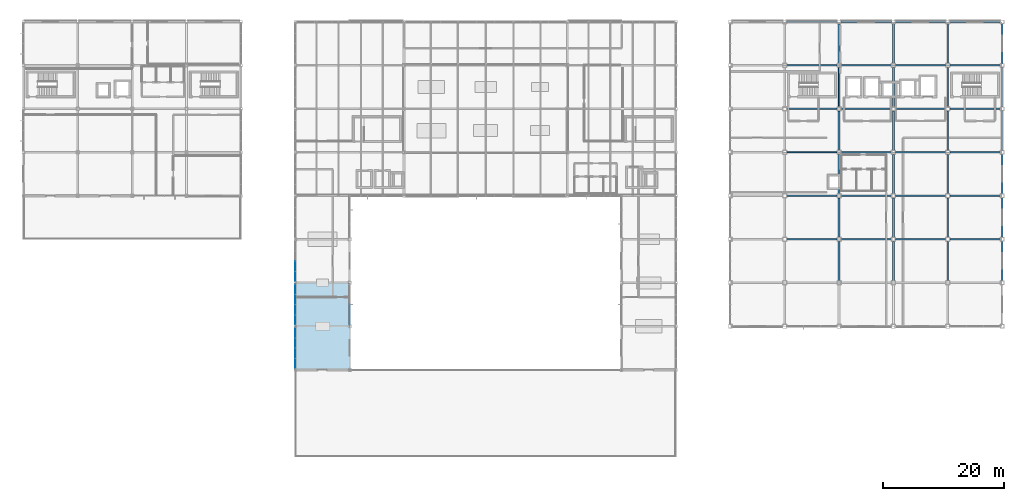
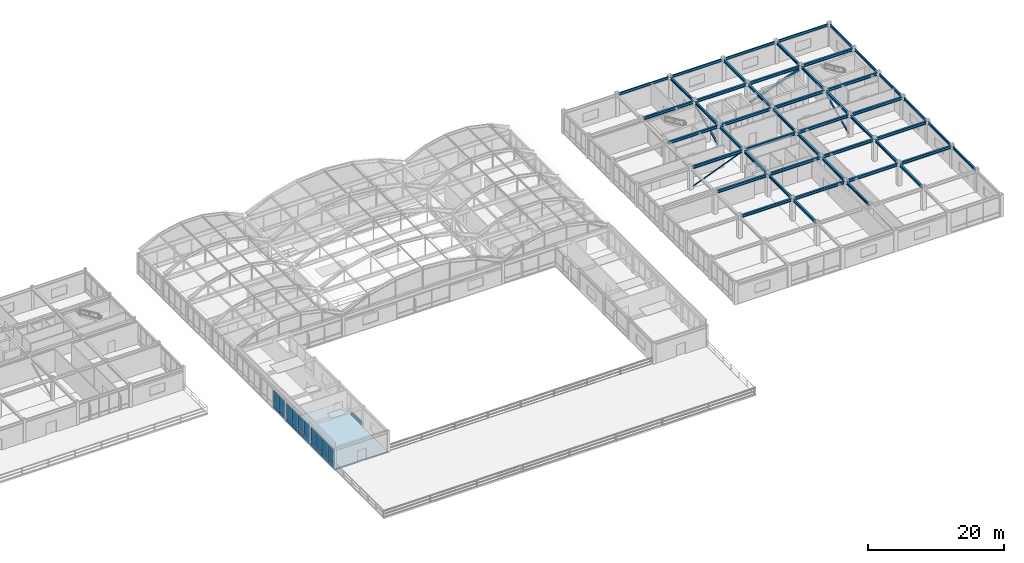
# One storey, part 76 of 106: 48 beams, 21 plates, 4 members, 1 slab, 4 elements without a shape of their own.
"""IFC4 building model written with IfcOpenShell, lengths in metres."""

from ifc_helpers import new_model, si_unit, direction, frame, origin, origin_2d, place, context, subcontext, project, spatial, polyline, rectangle, hollow_rectangle, hollow_circle, i_section, outline, extrude, material, layer, layer_set, material_profile, profile_set, type_object, element, aggregate, save


model = new_model("IFC4")

# Units and contexts
model_context = context("Model", 3, precision=1e-05, world=origin(), true_north=direction((0.0, 1.0)))
body_context = subcontext(model_context, "Body", "Model", "MODEL_VIEW")
ifc_project = project(units=[si_unit("LENGTHUNIT", "METRE"), si_unit("AREAUNIT", "SQUARE_METRE"), si_unit("VOLUMEUNIT", "CUBIC_METRE"), si_unit("PLANEANGLEUNIT", "RADIAN"), si_unit("MASSUNIT", "GRAM", prefix="KILO")], contexts=[model_context])

# Site, building, storey
site_placement = place(None, origin())
site = spatial("IfcSite", under=ifc_project, at=site_placement, CompositionType="ELEMENT")
building_placement = place(site_placement, origin())
building = spatial("IfcBuilding", under=site, at=building_placement, Name="Kazanami Central Library", CompositionType="ELEMENT")
storey_placement = place(building_placement, frame((0.0, 0.0, 12.800048828125)))
storey = spatial("IfcBuildingStorey", under=building, at=storey_placement, Name="L04", CompositionType="ELEMENT", Elevation=12.800048828125)

# Beams
ifc_material_1 = material(Name="Steel SN490B (325 MPa)", Category="steel")
ifc_material_profile_1 = material_profile(ifc_material_1, i_section(OverallWidth=0.300048828125, OverallDepth=0.488037109375, WebThickness=0.010986328125, FlangeThickness=0.01806640625, at=origin_2d()), Name="H-488x300x11x18")
ifc_profile_set_1 = profile_set([ifc_material_profile_1], Name="Steel SN490B (325 MPa)")
beam_type_1 = type_object("IfcBeamType", Name="BM-G-X5", PredefinedType="BEAM", material=ifc_profile_set_1)
for number, where, z_axis, x_axis, name in (
    (1, (126.322998046875, 57.60009765625, 3.696044921875), (1.0, 0.0, 0.0), (0.0, 1.0, 0.0), "Girder G-X5 L04 J/15-16"),
    (2, (135.322998046875, 57.60009765625, 3.696044921875), (1.0, 0.0, 0.0), (0.0, 1.0, 0.0), "Girder G-X5 L04 J/16-17"),
    (3, (144.322998046875, 57.60009765625, 3.696044921875), (1.0, 0.0, 0.0), (0.0, 1.0, 0.0), "Girder G-X5 L04 J/17-18"),
):
    element("IfcBeam", number, at=place(storey_placement, frame(where, z_axis=z_axis, x_axis=x_axis)), inside=storey, type_object=beam_type_1, Name=name, PredefinedType="BEAM", context=body_context, shape_type="SweptSolid", body=[
        extrude(i_section(OverallWidth=0.300048828125, OverallDepth=0.488037109375, WebThickness=0.010986328125, FlangeThickness=0.01806640625, at=origin_2d()), origin(), (0.0, 0.0, 1.0), 8.35400390625),
    ])
beam_1_placement = place(storey_placement, frame((153.322998046875, 57.60009765625, 3.696044921875), z_axis=(1.0, 0.0, 0.0), x_axis=(0.0, 1.0, 0.0)))
element("IfcBeam", 4, at=beam_1_placement, inside=storey, type_object=beam_type_1, Name="Girder G-X5 L04 J/18-19", PredefinedType="BEAM", context=body_context, shape_type="SweptSolid", body=[
    extrude(i_section(OverallWidth=0.300048828125, OverallDepth=0.488037109375, WebThickness=0.010986328125, FlangeThickness=0.01806640625, at=origin_2d()), origin(), (0.0, 0.0, 1.0), 8.37890625),
])
for number, where, z_axis, x_axis, name in (
    (5, (126.322998046875, 64.800048828125, 3.696044921875), (1.0, 0.0, 0.0), (0.0, 1.0, 0.0), "Girder G-X5 L04 K/15-16"),
    (6, (135.322998046875, 64.800048828125, 3.696044921875), (1.0, 0.0, 0.0), (0.0, 1.0, 0.0), "Girder G-X5 L04 K/16-17"),
    (7, (144.322998046875, 64.800048828125, 3.696044921875), (1.0, 0.0, 0.0), (0.0, 1.0, 0.0), "Girder G-X5 L04 K/17-18"),
):
    element("IfcBeam", number, at=place(storey_placement, frame(where, z_axis=z_axis, x_axis=x_axis)), inside=storey, type_object=beam_type_1, Name=name, PredefinedType="BEAM", context=body_context, shape_type="SweptSolid", body=[
        extrude(i_section(OverallWidth=0.300048828125, OverallDepth=0.488037109375, WebThickness=0.010986328125, FlangeThickness=0.01806640625, at=origin_2d()), origin(), (0.0, 0.0, 1.0), 8.35400390625),
    ])
beam_2_placement = place(storey_placement, frame((153.322998046875, 64.800048828125, 3.696044921875), z_axis=(1.0, 0.0, 0.0), x_axis=(0.0, 1.0, 0.0)))
element("IfcBeam", 8, at=beam_2_placement, inside=storey, type_object=beam_type_1, Name="Girder G-X5 L04 K/18-19", PredefinedType="BEAM", context=body_context, shape_type="SweptSolid", body=[
    extrude(i_section(OverallWidth=0.300048828125, OverallDepth=0.488037109375, WebThickness=0.010986328125, FlangeThickness=0.01806640625, at=origin_2d()), origin(), (0.0, 0.0, 1.0), 8.37890625),
])
for number, where, z_axis, x_axis, name in (
    (9, (126.322998046875, 72.0, 3.696044921875), (1.0, 0.0, 0.0), (0.0, 1.0, 0.0), "Girder G-X5 L04 L/15-16"),
    (10, (135.322998046875, 72.0, 3.696044921875), (1.0, 0.0, 0.0), (0.0, 1.0, 0.0), "Girder G-X5 L04 L/16-17"),
    (11, (144.322998046875, 72.0, 3.696044921875), (1.0, 0.0, 0.0), (0.0, 1.0, 0.0), "Girder G-X5 L04 L/17-18"),
):
    element("IfcBeam", number, at=place(storey_placement, frame(where, z_axis=z_axis, x_axis=x_axis)), inside=storey, type_object=beam_type_1, Name=name, PredefinedType="BEAM", context=body_context, shape_type="SweptSolid", body=[
        extrude(i_section(OverallWidth=0.300048828125, OverallDepth=0.488037109375, WebThickness=0.010986328125, FlangeThickness=0.01806640625, at=origin_2d()), origin(), (0.0, 0.0, 1.0), 8.35400390625),
    ])
beam_3_placement = place(storey_placement, frame((153.322998046875, 72.0, 3.696044921875), z_axis=(1.0, 0.0, 0.0), x_axis=(0.0, 1.0, 0.0)))
element("IfcBeam", 12, at=beam_3_placement, inside=storey, type_object=beam_type_1, Name="Girder G-X5 L04 L/18-19", PredefinedType="BEAM", context=body_context, shape_type="SweptSolid", body=[
    extrude(i_section(OverallWidth=0.300048828125, OverallDepth=0.488037109375, WebThickness=0.010986328125, FlangeThickness=0.01806640625, at=origin_2d()), origin(), (0.0, 0.0, 1.0), 8.37890625),
])
for number, where, z_axis, x_axis, name in (
    (13, (126.322998046875, 79.199951171875, 3.696044921875), (1.0, 0.0, 0.0), (0.0, 1.0, 0.0), "Girder G-X5 L04 M/15-16"),
    (14, (135.322998046875, 79.199951171875, 3.696044921875), (1.0, 0.0, 0.0), (0.0, 1.0, 0.0), "Girder G-X5 L04 M/16-17"),
    (15, (144.322998046875, 79.199951171875, 3.696044921875), (1.0, 0.0, 0.0), (0.0, 1.0, 0.0), "Girder G-X5 L04 M/17-18"),
):
    element("IfcBeam", number, at=place(storey_placement, frame(where, z_axis=z_axis, x_axis=x_axis)), inside=storey, type_object=beam_type_1, Name=name, PredefinedType="BEAM", context=body_context, shape_type="SweptSolid", body=[
        extrude(i_section(OverallWidth=0.300048828125, OverallDepth=0.488037109375, WebThickness=0.010986328125, FlangeThickness=0.01806640625, at=origin_2d()), origin(), (0.0, 0.0, 1.0), 8.35400390625),
    ])
beam_4_placement = place(storey_placement, frame((153.322998046875, 79.199951171875, 3.696044921875), z_axis=(1.0, 0.0, 0.0), x_axis=(0.0, 1.0, 0.0)))
element("IfcBeam", 16, at=beam_4_placement, inside=storey, type_object=beam_type_1, Name="Girder G-X5 L04 M/18-19", PredefinedType="BEAM", context=body_context, shape_type="SweptSolid", body=[
    extrude(i_section(OverallWidth=0.300048828125, OverallDepth=0.488037109375, WebThickness=0.010986328125, FlangeThickness=0.01806640625, at=origin_2d()), origin(), (0.0, 0.0, 1.0), 8.37890625),
])
for number, where, z_axis, x_axis, name in (
    (17, (126.322998046875, 86.39990234375, 3.696044921875), (1.0, 0.0, 0.0), (0.0, 1.0, 0.0), "Girder G-X5 L04 N/15-16"),
    (18, (135.322998046875, 86.39990234375, 3.696044921875), (1.0, 0.0, 0.0), (0.0, 1.0, 0.0), "Girder G-X5 L04 N/16-17"),
    (19, (144.322998046875, 86.39990234375, 3.696044921875), (1.0, 0.0, 0.0), (0.0, 1.0, 0.0), "Girder G-X5 L04 N/17-18"),
):
    element("IfcBeam", number, at=place(storey_placement, frame(where, z_axis=z_axis, x_axis=x_axis)), inside=storey, type_object=beam_type_1, Name=name, PredefinedType="BEAM", context=body_context, shape_type="SweptSolid", body=[
        extrude(i_section(OverallWidth=0.300048828125, OverallDepth=0.488037109375, WebThickness=0.010986328125, FlangeThickness=0.01806640625, at=origin_2d()), origin(), (0.0, 0.0, 1.0), 8.35400390625),
    ])
beam_5_placement = place(storey_placement, frame((153.322998046875, 86.39990234375, 3.696044921875), z_axis=(1.0, 0.0, 0.0), x_axis=(0.0, 1.0, 0.0)))
element("IfcBeam", 20, at=beam_5_placement, inside=storey, type_object=beam_type_1, Name="Girder G-X5 L04 N/18-19", PredefinedType="BEAM", context=body_context, shape_type="SweptSolid", body=[
    extrude(i_section(OverallWidth=0.300048828125, OverallDepth=0.488037109375, WebThickness=0.010986328125, FlangeThickness=0.01806640625, at=origin_2d()), origin(), (0.0, 0.0, 1.0), 8.37890625),
])
ifc_material_profile_2 = material_profile(ifc_material_1, i_section(OverallWidth=0.300048828125, OverallDepth=0.43994140625, WebThickness=0.010986328125, FlangeThickness=0.01806640625, at=origin_2d()), Name="H-440x300x11x18")
ifc_profile_set_2 = profile_set([ifc_material_profile_2], Name="Steel SN490B (325 MPa)")
beam_type_2 = type_object("IfcBeamType", Name="BM-G-Y4", PredefinedType="BEAM", material=ifc_profile_set_2)
beam_6_placement = place(storey_placement, frame((135.0, 50.722900390625, 3.719970703125), z_axis=(0.0, 1.0, 0.0), x_axis=(-1.0, 0.0, 0.0)))
element("IfcBeam", 21, at=beam_6_placement, inside=storey, type_object=beam_type_2, Name="Girder G-Y4 L04 16/H-J", PredefinedType="BEAM", context=body_context, shape_type="SweptSolid", body=[
    extrude(i_section(OverallWidth=0.300048828125, OverallDepth=0.43994140625, WebThickness=0.010986328125, FlangeThickness=0.01806640625, at=origin_2d()), origin(), (0.0, 0.0, 1.0), 6.55419921875),
])
for number, where, z_axis, x_axis, name in (
    (22, (135.0, 57.923095703125, 3.719970703125), (0.0, 1.0, 0.0), (-1.0, 0.0, 0.0), "Girder G-Y4 L04 16/J-K"),
    (23, (135.0, 65.123046875, 3.719970703125), (0.0, 1.0, 0.0), (-1.0, 0.0, 0.0), "Girder G-Y4 L04 16/K-L"),
    (24, (135.0, 72.322998046875, 3.719970703125), (0.0, 1.0, 0.0), (-1.0, 0.0, 0.0), "Girder G-Y4 L04 16/L-M"),
    (25, (135.0, 79.52294921875, 3.719970703125), (0.0, 1.0, 0.0), (-1.0, 0.0, 0.0), "Girder G-Y4 L04 16/M-N"),
):
    element("IfcBeam", number, at=place(storey_placement, frame(where, z_axis=z_axis, x_axis=x_axis)), inside=storey, type_object=beam_type_2, Name=name, PredefinedType="BEAM", context=body_context, shape_type="SweptSolid", body=[
        extrude(i_section(OverallWidth=0.300048828125, OverallDepth=0.43994140625, WebThickness=0.010986328125, FlangeThickness=0.01806640625, at=origin_2d()), origin(), (0.0, 0.0, 1.0), 6.553955078125),
    ])
beam_7_placement = place(storey_placement, frame((135.0, 86.722900390625, 3.719970703125), z_axis=(0.0, 1.0, 0.0), x_axis=(-1.0, 0.0, 0.0)))
element("IfcBeam", 26, at=beam_7_placement, inside=storey, type_object=beam_type_2, Name="Girder G-Y4 L04 16/N-O", PredefinedType="BEAM", context=body_context, shape_type="SweptSolid", body=[
    extrude(i_section(OverallWidth=0.300048828125, OverallDepth=0.43994140625, WebThickness=0.010986328125, FlangeThickness=0.01806640625, at=origin_2d()), origin(), (0.0, 0.0, 1.0), 6.5791015625),
])
beam_8_placement = place(storey_placement, frame((144.0, 50.722900390625, 3.719970703125), z_axis=(0.0, 1.0, 0.0), x_axis=(-1.0, 0.0, 0.0)))
element("IfcBeam", 27, at=beam_8_placement, inside=storey, type_object=beam_type_2, Name="Girder G-Y4 L04 17/H-J", PredefinedType="BEAM", context=body_context, shape_type="SweptSolid", body=[
    extrude(i_section(OverallWidth=0.300048828125, OverallDepth=0.43994140625, WebThickness=0.010986328125, FlangeThickness=0.01806640625, at=origin_2d()), origin(), (0.0, 0.0, 1.0), 6.55419921875),
])
for number, where, z_axis, x_axis, name in (
    (28, (144.0, 57.923095703125, 3.719970703125), (0.0, 1.0, 0.0), (-1.0, 0.0, 0.0), "Girder G-Y4 L04 17/J-K"),
    (29, (144.0, 65.123046875, 3.719970703125), (0.0, 1.0, 0.0), (-1.0, 0.0, 0.0), "Girder G-Y4 L04 17/K-L"),
    (30, (144.0, 72.322998046875, 3.719970703125), (0.0, 1.0, 0.0), (-1.0, 0.0, 0.0), "Girder G-Y4 L04 17/L-M"),
    (31, (144.0, 79.52294921875, 3.719970703125), (0.0, 1.0, 0.0), (-1.0, 0.0, 0.0), "Girder G-Y4 L04 17/M-N"),
):
    element("IfcBeam", number, at=place(storey_placement, frame(where, z_axis=z_axis, x_axis=x_axis)), inside=storey, type_object=beam_type_2, Name=name, PredefinedType="BEAM", context=body_context, shape_type="SweptSolid", body=[
        extrude(i_section(OverallWidth=0.300048828125, OverallDepth=0.43994140625, WebThickness=0.010986328125, FlangeThickness=0.01806640625, at=origin_2d()), origin(), (0.0, 0.0, 1.0), 6.553955078125),
    ])
beam_9_placement = place(storey_placement, frame((144.0, 86.722900390625, 3.719970703125), z_axis=(0.0, 1.0, 0.0), x_axis=(-1.0, 0.0, 0.0)))
element("IfcBeam", 32, at=beam_9_placement, inside=storey, type_object=beam_type_2, Name="Girder G-Y4 L04 17/N-O", PredefinedType="BEAM", context=body_context, shape_type="SweptSolid", body=[
    extrude(i_section(OverallWidth=0.300048828125, OverallDepth=0.43994140625, WebThickness=0.010986328125, FlangeThickness=0.01806640625, at=origin_2d()), origin(), (0.0, 0.0, 1.0), 6.5791015625),
])
beam_10_placement = place(storey_placement, frame((153.0, 50.722900390625, 3.719970703125), z_axis=(0.0, 1.0, 0.0), x_axis=(-1.0, 0.0, 0.0)))
element("IfcBeam", 33, at=beam_10_placement, inside=storey, type_object=beam_type_2, Name="Girder G-Y4 L04 18/H-J", PredefinedType="BEAM", context=body_context, shape_type="SweptSolid", body=[
    extrude(i_section(OverallWidth=0.300048828125, OverallDepth=0.43994140625, WebThickness=0.010986328125, FlangeThickness=0.01806640625, at=origin_2d()), origin(), (0.0, 0.0, 1.0), 6.55419921875),
])
for number, where, z_axis, x_axis, name in (
    (34, (153.0, 57.923095703125, 3.719970703125), (0.0, 1.0, 0.0), (-1.0, 0.0, 0.0), "Girder G-Y4 L04 18/J-K"),
    (35, (153.0, 65.123046875, 3.719970703125), (0.0, 1.0, 0.0), (-1.0, 0.0, 0.0), "Girder G-Y4 L04 18/K-L"),
    (36, (153.0, 72.322998046875, 3.719970703125), (0.0, 1.0, 0.0), (-1.0, 0.0, 0.0), "Girder G-Y4 L04 18/L-M"),
    (37, (153.0, 79.52294921875, 3.719970703125), (0.0, 1.0, 0.0), (-1.0, 0.0, 0.0), "Girder G-Y4 L04 18/M-N"),
):
    element("IfcBeam", number, at=place(storey_placement, frame(where, z_axis=z_axis, x_axis=x_axis)), inside=storey, type_object=beam_type_2, Name=name, PredefinedType="BEAM", context=body_context, shape_type="SweptSolid", body=[
        extrude(i_section(OverallWidth=0.300048828125, OverallDepth=0.43994140625, WebThickness=0.010986328125, FlangeThickness=0.01806640625, at=origin_2d()), origin(), (0.0, 0.0, 1.0), 6.553955078125),
    ])
beam_11_placement = place(storey_placement, frame((153.0, 86.722900390625, 3.719970703125), z_axis=(0.0, 1.0, 0.0), x_axis=(-1.0, 0.0, 0.0)))
element("IfcBeam", 38, at=beam_11_placement, inside=storey, type_object=beam_type_2, Name="Girder G-Y4 L04 18/N-O", PredefinedType="BEAM", context=body_context, shape_type="SweptSolid", body=[
    extrude(i_section(OverallWidth=0.300048828125, OverallDepth=0.43994140625, WebThickness=0.010986328125, FlangeThickness=0.01806640625, at=origin_2d()), origin(), (0.0, 0.0, 1.0), 6.5791015625),
])
ifc_material_profile_3 = material_profile(ifc_material_1, i_section(OverallWidth=0.199951171875, OverallDepth=0.449951171875, WebThickness=0.009033203125, FlangeThickness=0.013916015625, at=origin_2d()), Name="H-450x200x9x14")
ifc_profile_set_3 = profile_set([ifc_material_profile_3], Name="Steel SN490B (325 MPa)")
beam_type_3 = type_object("IfcBeamType", Name="BM-SP-2", PredefinedType="SPANDREL", material=ifc_profile_set_3)
for number, where, z_axis, x_axis, name in (
    (39, (126.298095703125, 93.60009765625, 3.71484375), (1.0, 0.0, 0.0), (0.0, 1.0, 0.0), "Girder SP-2 L04 O/15-16"),
    (40, (135.298095703125, 93.60009765625, 3.71484375), (1.0, 0.0, 0.0), (0.0, 1.0, 0.0), "Girder SP-2 L04 O/16-17"),
    (41, (144.298095703125, 93.60009765625, 3.71484375), (1.0, 0.0, 0.0), (0.0, 1.0, 0.0), "Girder SP-2 L04 O/17-18"),
    (42, (153.298095703125, 93.60009765625, 3.71484375), (1.0, 0.0, 0.0), (0.0, 1.0, 0.0), "Girder SP-2 L04 O/18-19"),
):
    element("IfcBeam", number, at=place(storey_placement, frame(where, z_axis=z_axis, x_axis=x_axis)), inside=storey, type_object=beam_type_3, Name=name, PredefinedType="SPANDREL", context=body_context, shape_type="SweptSolid", body=[
        extrude(i_section(OverallWidth=0.199951171875, OverallDepth=0.449951171875, WebThickness=0.009033203125, FlangeThickness=0.013916015625, at=origin_2d()), origin(), (0.0, 0.0, 1.0), 8.40380859375),
    ])
for number, where, z_axis, x_axis, name in (
    (43, (162.0, 50.697998046875, 3.71484375), (0.0, 1.0, 0.0), (-1.0, 0.0, 0.0), "Girder SP-2 L04 19/H-J"),
    (44, (162.0, 57.89794921875, 3.71484375), (0.0, 1.0, 0.0), (-1.0, 0.0, 0.0), "Girder SP-2 L04 19/J-K"),
    (45, (162.0, 65.097900390625, 3.71484375), (0.0, 1.0, 0.0), (-1.0, 0.0, 0.0), "Girder SP-2 L04 19/K-L"),
    (46, (162.0, 72.298095703125, 3.71484375), (0.0, 1.0, 0.0), (-1.0, 0.0, 0.0), "Girder SP-2 L04 19/L-M"),
    (47, (162.0, 79.498046875, 3.71484375), (0.0, 1.0, 0.0), (-1.0, 0.0, 0.0), "Girder SP-2 L04 19/M-N"),
    (48, (162.0, 86.697998046875, 3.71484375), (0.0, 1.0, 0.0), (-1.0, 0.0, 0.0), "Girder SP-2 L04 19/N-O"),
):
    element("IfcBeam", number, at=place(storey_placement, frame(where, z_axis=z_axis, x_axis=x_axis)), inside=storey, type_object=beam_type_3, Name=name, PredefinedType="SPANDREL", context=body_context, shape_type="SweptSolid", body=[
        extrude(i_section(OverallWidth=0.199951171875, OverallDepth=0.449951171875, WebThickness=0.009033203125, FlangeThickness=0.013916015625, at=origin_2d()), origin(), (0.0, 0.0, 1.0), 6.60400390625),
    ])

# Members
ifc_material_2 = material(Name="Steel STK490 (315 MPa)", Category="steel")
ifc_material_profile_4 = material_profile(ifc_material_2, hollow_circle(Radius=0.095458984375, WallThickness=0.007080078125, at=origin_2d()), Name="CHS-190.7x7.0")
ifc_profile_set_4 = profile_set([ifc_material_profile_4], Name="Steel STK490 (315 MPa)")
member_type_1 = type_object("IfcMemberType", Name="MEM-BR-05", PredefinedType="BRACE", material=ifc_profile_set_4)
member_1_placement = place(storey_placement, frame((126.324951171875, 72.0, 0.25), z_axis=(0.930385340075, 0.0, 0.366583031485), x_axis=(0.0, 1.0, 0.0)))
element("IfcMember", 49, at=member_1_placement, inside=storey, type_object=member_type_1, Name="Concentric Steel Brace BR-05 L04 BF-V2A", PredefinedType="BRACE", context=body_context, shape_type="SweptSolid", body=[
    extrude(hollow_circle(Radius=0.095458984375, WallThickness=0.007080078125, at=origin_2d()), origin(), (0.0, 0.0, 1.0), 8.974853515625),
])
ifc_material_profile_5 = material_profile(ifc_material_2, hollow_rectangle(XDim=0.300048828125, YDim=0.300048828125, WallThickness=0.011962890625, at=origin_2d()), Name="STKR-300x300x12")
ifc_profile_set_5 = profile_set([ifc_material_profile_5], Name="Steel STK490 (315 MPa)")
member_type_2 = type_object("IfcMemberType", Name="MEM-BR-06", PredefinedType="BRACE", material=ifc_profile_set_5)
member_2_placement = place(storey_placement, frame((144.324951171875, 86.39990234375, 0.25), z_axis=(0.940744619, 0.0, 0.339115853098), x_axis=(0.0, 1.0, 0.0)))
element("IfcMember", 50, at=member_2_placement, inside=storey, type_object=member_type_2, Name="Concentric Steel Brace BR-06 L04 BF-V2B", PredefinedType="BRACE", context=body_context, shape_type="SweptSolid", body=[
    extrude(hollow_rectangle(XDim=0.300048828125, YDim=0.300048828125, WallThickness=0.011962890625, at=origin_2d()), origin(), (0.0, 0.0, 1.0), 8.8759765625),
])
ifc_material_profile_6 = material_profile(ifc_material_2, hollow_rectangle(XDim=0.25, YDim=0.25, WallThickness=0.011962890625, at=origin_2d()), Name="STKR-250x250x12")
ifc_profile_set_6 = profile_set([ifc_material_profile_6], Name="Steel STK490 (315 MPa)")
member_type_3 = type_object("IfcMemberType", Name="MEM-BR-07", PredefinedType="BRACE", material=ifc_profile_set_6)
member_3_placement = place(storey_placement, frame((135.0, 79.52490234375, 0.25), z_axis=(0.0, 0.908649061066, 0.417560634906), x_axis=(-1.0, 0.0, 0.0)))
element("IfcMember", 51, at=member_3_placement, inside=storey, type_object=member_type_3, Name="Concentric Steel Brace BR-07 L04 BF-V2C", PredefinedType="BRACE", context=body_context, shape_type="SweptSolid", body=[
    extrude(hollow_rectangle(XDim=0.25, YDim=0.25, WallThickness=0.011962890625, at=origin_2d()), origin(), (0.0, 0.0, 1.0), 7.20849609375),
])
ifc_material_profile_7 = material_profile(ifc_material_2, hollow_rectangle(XDim=0.199951171875, YDim=0.199951171875, WallThickness=0.009033203125, at=origin_2d()), Name="STKR-200x200x9")
ifc_profile_set_7 = profile_set([ifc_material_profile_7], Name="Steel STK490 (315 MPa)")
member_type_4 = type_object("IfcMemberType", Name="MEM-BR-08", PredefinedType="BRACE", material=ifc_profile_set_7)
member_4_placement = place(storey_placement, frame((153.0, 72.324951171875, 0.25), z_axis=(0.0, 0.908649061066, 0.417560634906), x_axis=(-1.0, 0.0, 0.0)))
element("IfcMember", 52, at=member_4_placement, inside=storey, type_object=member_type_4, Name="Concentric Steel Brace BR-08 L04 BF-V2D", PredefinedType="BRACE", context=body_context, shape_type="SweptSolid", body=[
    extrude(hollow_rectangle(XDim=0.199951171875, YDim=0.199951171875, WallThickness=0.009033203125, at=origin_2d()), origin(), (0.0, 0.0, 1.0), 7.20849609375),
])

# Curtain wall, plates
ifc_material_3 = material(Name="Acid-Etched Low-E Laminated Glass", Category="glass")
curtain_wall_type_1 = type_object("IfcCurtainWallType", Name="CW-6800x3330-M180", PredefinedType="USERDEFINED", material=ifc_material_3)
curtain_wall_1_placement = place(storey_placement, origin())
curtain_wall_1 = element("IfcCurtainWall", 53, at=curtain_wall_1_placement, inside=storey, type_object=curtain_wall_type_1, Name="Covered Link Bridge Curtain Wall CW-44 L04 W-6-05", ObjectType="UNITISED CURTAIN WALL", PredefinedType="USERDEFINED")
ifc_material_4 = material(Name="Low-E Insulated Triple Glass", Category="glass")
ifc_layer_1 = layer(ifc_material_4, 0.0400390625, Name="Low-E Insulated Triple Glass")
ifc_layer_set_1 = layer_set([ifc_layer_1], Name="Low-E Insulated Triple Glass")
plate_type_1 = type_object("IfcPlateType", Name="PLT-CW-P3", PredefinedType="CURTAIN_PANEL", material=ifc_layer_set_1)
plate_1_placement = place(storey_placement, frame((45.0, 37.0673828125, 0.81494140625), z_axis=(0.0, 0.0, 1.0), x_axis=(0.0, 1.0, 0.0)))
plate_1 = element("IfcPlate", 54, at=plate_1_placement, type_object=plate_type_1, Name="CW-44 panel 1.2", PredefinedType="CURTAIN_PANEL", context=body_context, shape_type="SweptSolid", body=[
    extrude(rectangle(XDim=1.594970703125, YDim=0.0400390625, at=origin_2d()), origin(), (0.0, 0.0, 1.0), 2.445068359375),
])
plate_2_placement = place(storey_placement, frame((45.0, 38.75, 0.81494140625), z_axis=(0.0, 0.0, 1.0), x_axis=(0.0, 1.0, 0.0)))
plate_2 = element("IfcPlate", 55, at=plate_2_placement, type_object=plate_type_1, Name="CW-44 panel 2.2", PredefinedType="CURTAIN_PANEL", context=body_context, shape_type="SweptSolid", body=[
    extrude(rectangle(XDim=1.6298828125, YDim=0.0400390625, at=origin_2d()), origin(), (0.0, 0.0, 1.0), 2.445068359375),
])
plate_3_placement = place(storey_placement, frame((45.0, 40.449951171875, 0.81494140625), z_axis=(0.0, 0.0, 1.0), x_axis=(0.0, 1.0, 0.0)))
plate_3 = element("IfcPlate", 56, at=plate_3_placement, type_object=plate_type_1, Name="CW-44 panel 3.2", PredefinedType="CURTAIN_PANEL", context=body_context, shape_type="SweptSolid", body=[
    extrude(rectangle(XDim=1.6298828125, YDim=0.0400390625, at=origin_2d()), origin(), (0.0, 0.0, 1.0), 2.445068359375),
])
plate_4_placement = place(storey_placement, frame((45.0, 42.132568359375, 0.81494140625), z_axis=(0.0, 0.0, 1.0), x_axis=(0.0, 1.0, 0.0)))
plate_4 = element("IfcPlate", 57, at=plate_4_placement, type_object=plate_type_1, Name="CW-44 panel 4.2", PredefinedType="CURTAIN_PANEL", context=body_context, shape_type="SweptSolid", body=[
    extrude(rectangle(XDim=1.594970703125, YDim=0.0400390625, at=origin_2d()), origin(), (0.0, 0.0, 1.0), 2.445068359375),
])

curtain_wall_2_placement = place(storey_placement, origin())
curtain_wall_2 = element("IfcCurtainWall", 58, at=curtain_wall_2_placement, inside=storey, type_object=curtain_wall_type_1, Name="Covered Link Bridge Curtain Wall CW-44 L04 W-6-06", ObjectType="UNITISED CURTAIN WALL", PredefinedType="USERDEFINED")
plate_5_placement = place(storey_placement, frame((45.0, 44.267578125, 0.81494140625), z_axis=(0.0, 0.0, 1.0), x_axis=(0.0, 1.0, 0.0)))
plate_5 = element("IfcPlate", 59, at=plate_5_placement, type_object=plate_type_1, Name="CW-44 panel 1.2", PredefinedType="CURTAIN_PANEL", context=body_context, shape_type="SweptSolid", body=[
    extrude(rectangle(XDim=1.594970703125, YDim=0.0400390625, at=origin_2d()), origin(), (0.0, 0.0, 1.0), 2.445068359375),
])
plate_6_placement = place(storey_placement, frame((45.0, 45.949951171875, 0.81494140625), z_axis=(0.0, 0.0, 1.0), x_axis=(0.0, 1.0, 0.0)))
plate_6 = element("IfcPlate", 60, at=plate_6_placement, type_object=plate_type_1, Name="CW-44 panel 2.2", PredefinedType="CURTAIN_PANEL", context=body_context, shape_type="SweptSolid", body=[
    extrude(rectangle(XDim=1.6298828125, YDim=0.0400390625, at=origin_2d()), origin(), (0.0, 0.0, 1.0), 2.445068359375),
])
plate_7_placement = place(storey_placement, frame((45.0, 47.64990234375, 0.81494140625), z_axis=(0.0, 0.0, 1.0), x_axis=(0.0, 1.0, 0.0)))
plate_7 = element("IfcPlate", 61, at=plate_7_placement, type_object=plate_type_1, Name="CW-44 panel 3.2", PredefinedType="CURTAIN_PANEL", context=body_context, shape_type="SweptSolid", body=[
    extrude(rectangle(XDim=1.6298828125, YDim=0.0400390625, at=origin_2d()), origin(), (0.0, 0.0, 1.0), 2.445068359375),
])
plate_8_placement = place(storey_placement, frame((45.0, 49.33251953125, 0.81494140625), z_axis=(0.0, 0.0, 1.0), x_axis=(0.0, 1.0, 0.0)))
plate_8 = element("IfcPlate", 62, at=plate_8_placement, type_object=plate_type_1, Name="CW-44 panel 4.2", PredefinedType="CURTAIN_PANEL", context=body_context, shape_type="SweptSolid", body=[
    extrude(rectangle(XDim=1.594970703125, YDim=0.0400390625, at=origin_2d()), origin(), (0.0, 0.0, 1.0), 2.445068359375),
])

curtain_wall_3_placement = place(storey_placement, origin())
curtain_wall_3 = element("IfcCurtainWall", 63, at=curtain_wall_3_placement, inside=storey, type_object=curtain_wall_type_1, Name="Covered Link Bridge Curtain Wall CW-44 L04 W-6-07", ObjectType="UNITISED CURTAIN WALL", PredefinedType="USERDEFINED")
plate_9_placement = place(storey_placement, frame((45.0, 51.467529296875, 0.81494140625), z_axis=(0.0, 0.0, 1.0), x_axis=(0.0, 1.0, 0.0)))
plate_9 = element("IfcPlate", 64, at=plate_9_placement, type_object=plate_type_1, Name="CW-44 panel 1.2", PredefinedType="CURTAIN_PANEL", context=body_context, shape_type="SweptSolid", body=[
    extrude(rectangle(XDim=1.594970703125, YDim=0.0400390625, at=origin_2d()), origin(), (0.0, 0.0, 1.0), 2.445068359375),
])
plate_10_placement = place(storey_placement, frame((45.0, 53.14990234375, 0.81494140625), z_axis=(0.0, 0.0, 1.0), x_axis=(0.0, 1.0, 0.0)))
plate_10 = element("IfcPlate", 65, at=plate_10_placement, type_object=plate_type_1, Name="CW-44 panel 2.2", PredefinedType="CURTAIN_PANEL", context=body_context, shape_type="SweptSolid", body=[
    extrude(rectangle(XDim=1.6298828125, YDim=0.0400390625, at=origin_2d()), origin(), (0.0, 0.0, 1.0), 2.445068359375),
])

# Plate
ifc_material_5 = material(Name="Anodised Aluminium A5052-H32", Category="aluminium")
ifc_layer_2 = layer(ifc_material_5, 0.06005859375, Name="Anodised Aluminium A5052-H32")
ifc_layer_set_2 = layer_set([ifc_layer_2], Name="Anodised Aluminium A5052-H32")
plate_type_2 = type_object("IfcPlateType", Name="PLT-CW-SP1", PredefinedType="CURTAIN_PANEL", material=ifc_layer_set_2)
plate_11_placement = place(storey_placement, frame((45.0, 37.0673828125, 0.06982421875), z_axis=(0.0, 0.0, 1.0), x_axis=(0.0, 1.0, 0.0)))
plate_11 = element("IfcPlate", 66, at=plate_11_placement, type_object=plate_type_2, Name="CW-44 panel 1.1", PredefinedType="CURTAIN_PANEL", context=body_context, shape_type="SweptSolid", body=[
    extrude(rectangle(XDim=1.594970703125, YDim=0.06005859375, at=origin_2d()), origin(), (0.0, 0.0, 1.0), 0.675048828125),
])

plate_12_placement = place(storey_placement, frame((45.0, 38.75, 0.06982421875), z_axis=(0.0, 0.0, 1.0), x_axis=(0.0, 1.0, 0.0)))
plate_12 = element("IfcPlate", 67, at=plate_12_placement, type_object=plate_type_2, Name="CW-44 panel 2.1", PredefinedType="CURTAIN_PANEL", context=body_context, shape_type="SweptSolid", body=[
    extrude(rectangle(XDim=1.6298828125, YDim=0.06005859375, at=origin_2d()), origin(), (0.0, 0.0, 1.0), 0.675048828125),
])

plate_13_placement = place(storey_placement, frame((45.0, 40.449951171875, 0.06982421875), z_axis=(0.0, 0.0, 1.0), x_axis=(0.0, 1.0, 0.0)))
plate_13 = element("IfcPlate", 68, at=plate_13_placement, type_object=plate_type_2, Name="CW-44 panel 3.1", PredefinedType="CURTAIN_PANEL", context=body_context, shape_type="SweptSolid", body=[
    extrude(rectangle(XDim=1.6298828125, YDim=0.06005859375, at=origin_2d()), origin(), (0.0, 0.0, 1.0), 0.675048828125),
])

plate_14_placement = place(storey_placement, frame((45.0, 42.132568359375, 0.06982421875), z_axis=(0.0, 0.0, 1.0), x_axis=(0.0, 1.0, 0.0)))
plate_14 = element("IfcPlate", 69, at=plate_14_placement, type_object=plate_type_2, Name="CW-44 panel 4.1", PredefinedType="CURTAIN_PANEL", context=body_context, shape_type="SweptSolid", body=[
    extrude(rectangle(XDim=1.594970703125, YDim=0.06005859375, at=origin_2d()), origin(), (0.0, 0.0, 1.0), 0.675048828125),
])

aggregate(curtain_wall_1, [plate_11, plate_1, plate_12, plate_2, plate_13, plate_3, plate_14, plate_4])

plate_15_placement = place(storey_placement, frame((45.0, 44.267578125, 0.06982421875), z_axis=(0.0, 0.0, 1.0), x_axis=(0.0, 1.0, 0.0)))
plate_15 = element("IfcPlate", 70, at=plate_15_placement, type_object=plate_type_2, Name="CW-44 panel 1.1", PredefinedType="CURTAIN_PANEL", context=body_context, shape_type="SweptSolid", body=[
    extrude(rectangle(XDim=1.594970703125, YDim=0.06005859375, at=origin_2d()), origin(), (0.0, 0.0, 1.0), 0.675048828125),
])

plate_16_placement = place(storey_placement, frame((45.0, 45.949951171875, 0.06982421875), z_axis=(0.0, 0.0, 1.0), x_axis=(0.0, 1.0, 0.0)))
plate_16 = element("IfcPlate", 71, at=plate_16_placement, type_object=plate_type_2, Name="CW-44 panel 2.1", PredefinedType="CURTAIN_PANEL", context=body_context, shape_type="SweptSolid", body=[
    extrude(rectangle(XDim=1.6298828125, YDim=0.06005859375, at=origin_2d()), origin(), (0.0, 0.0, 1.0), 0.675048828125),
])

plate_17_placement = place(storey_placement, frame((45.0, 47.64990234375, 0.06982421875), z_axis=(0.0, 0.0, 1.0), x_axis=(0.0, 1.0, 0.0)))
plate_17 = element("IfcPlate", 72, at=plate_17_placement, type_object=plate_type_2, Name="CW-44 panel 3.1", PredefinedType="CURTAIN_PANEL", context=body_context, shape_type="SweptSolid", body=[
    extrude(rectangle(XDim=1.6298828125, YDim=0.06005859375, at=origin_2d()), origin(), (0.0, 0.0, 1.0), 0.675048828125),
])

plate_18_placement = place(storey_placement, frame((45.0, 49.33251953125, 0.06982421875), z_axis=(0.0, 0.0, 1.0), x_axis=(0.0, 1.0, 0.0)))
plate_18 = element("IfcPlate", 73, at=plate_18_placement, type_object=plate_type_2, Name="CW-44 panel 4.1", PredefinedType="CURTAIN_PANEL", context=body_context, shape_type="SweptSolid", body=[
    extrude(rectangle(XDim=1.594970703125, YDim=0.06005859375, at=origin_2d()), origin(), (0.0, 0.0, 1.0), 0.675048828125),
])

aggregate(curtain_wall_2, [plate_15, plate_5, plate_16, plate_6, plate_17, plate_7, plate_18, plate_8])

plate_19_placement = place(storey_placement, frame((45.0, 51.467529296875, 0.06982421875), z_axis=(0.0, 0.0, 1.0), x_axis=(0.0, 1.0, 0.0)))
plate_19 = element("IfcPlate", 74, at=plate_19_placement, type_object=plate_type_2, Name="CW-44 panel 1.1", PredefinedType="CURTAIN_PANEL", context=body_context, shape_type="SweptSolid", body=[
    extrude(rectangle(XDim=1.594970703125, YDim=0.06005859375, at=origin_2d()), origin(), (0.0, 0.0, 1.0), 0.675048828125),
])

plate_20_placement = place(storey_placement, frame((45.0, 53.14990234375, 0.06982421875), z_axis=(0.0, 0.0, 1.0), x_axis=(0.0, 1.0, 0.0)))
plate_20 = element("IfcPlate", 75, at=plate_20_placement, type_object=plate_type_2, Name="CW-44 panel 2.1", PredefinedType="CURTAIN_PANEL", context=body_context, shape_type="SweptSolid", body=[
    extrude(rectangle(XDim=1.6298828125, YDim=0.06005859375, at=origin_2d()), origin(), (0.0, 0.0, 1.0), 0.675048828125),
])

aggregate(curtain_wall_3, [plate_19, plate_9, plate_20, plate_10])

# Curtain wall, plate
curtain_wall_type_2 = type_object("IfcCurtainWallType", Name="CW-6750x3330-M275", PredefinedType="USERDEFINED", material=ifc_material_3)
curtain_wall_4_placement = place(storey_placement, origin())
curtain_wall_4 = element("IfcCurtainWall", 76, at=curtain_wall_4_placement, inside=storey, type_object=curtain_wall_type_2, Name="Unitised Curtain Wall CW-45 L04 E-7-06", ObjectType="UNITISED CURTAIN WALL", PredefinedType="USERDEFINED")
plate_21_placement = place(storey_placement, frame((54.0, 45.1298828125, 0.06982421875), z_axis=(0.0, 0.0, 1.0), x_axis=(0.0, -1.0, 0.0)))
plate_21 = element("IfcPlate", 77, at=plate_21_placement, type_object=plate_type_2, Name="CW-45 panel 2.1", PredefinedType="CURTAIN_PANEL", context=body_context, shape_type="SweptSolid", body=[
    extrude(rectangle(XDim=3.27001953125, YDim=0.06005859375, at=origin_2d()), origin(), (0.0, 0.0, 1.0), 0.675048828125),
])
aggregate(curtain_wall_4, [plate_21])

# Slab
ifc_material_6 = material(Name="Concrete Fc36 (36 MPa)", Category="concrete")
ifc_layer_3 = layer(ifc_material_6, 0.2548828125, Name="Concrete Fc36 (36 MPa)")
ifc_layer_set_3 = layer_set([ifc_layer_3], Name="Concrete Fc36 (36 MPa)")
slab_type = type_object("IfcSlabType", Name="SLB-FLR-255", PredefinedType="FLOOR", material=ifc_layer_set_3)
slab_placement = place(storey_placement, frame((0.0, 0.0, -0.255126953125)))
element("IfcSlab", 78, at=slab_placement, inside=storey, type_object=slab_type, Name="Composite Floor Slab L04 V1-WEST Zone 7", PredefinedType="FLOOR", context=body_context, shape_type="SweptSolid", body=[
    extrude(outline(polyline([(45.0, 36.0), (54.0, 36.0), (54.0, 50.39990234375), (45.0, 50.39990234375), (45.0, 36.0)])), origin(), (0.0, 0.0, 1.0), 0.255126953125),
])

save(model, "model.ifc")
